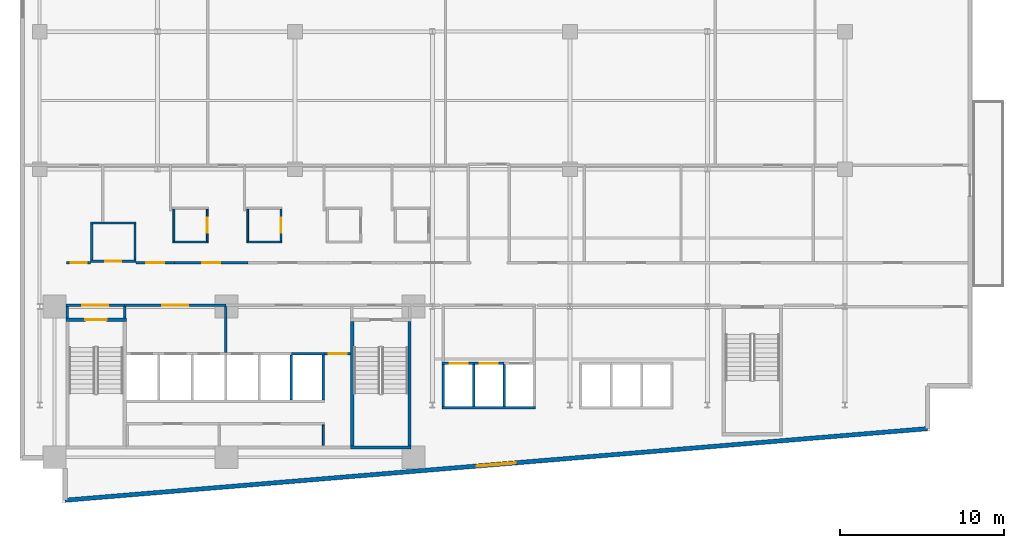
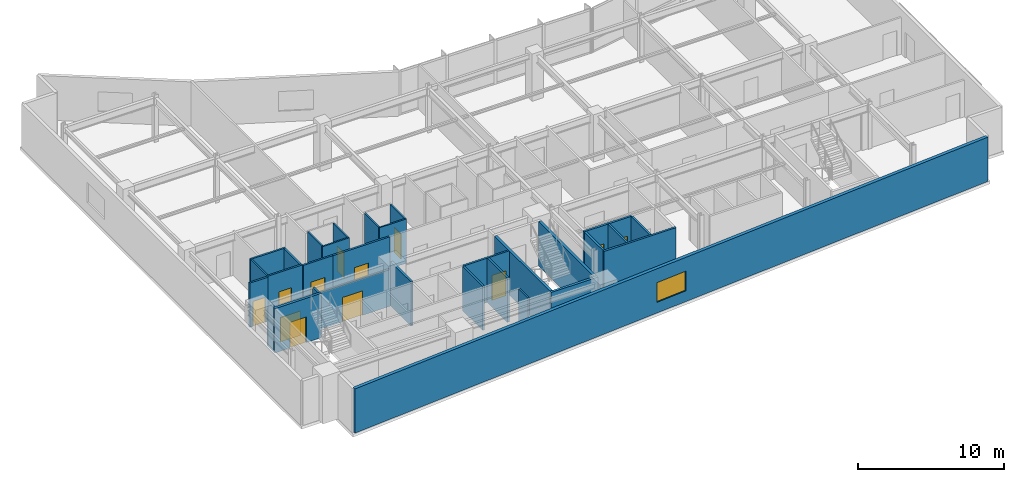
# One storey, part 10 of 18: 34 walls, 12 doors, 1 window, 13 openings.
"""IFC4 building model written with IfcOpenShell, lengths in metres."""

from ifc_helpers import new_model, si_unit, direction, frame, frame_2d, origin, place, context, subcontext, project, spatial, rectangle, extrude, material, layer, layer_set, type_object, element, fill, save


model = new_model("IFC4")

# Units and contexts
model_context = context("Model", 3, precision=1e-05, world=origin(), true_north=direction((0.0, 1.0)))
body_context = subcontext(model_context, "Body", "Model", "MODEL_VIEW")
ifc_project = project(units=[si_unit("LENGTHUNIT", "METRE"), si_unit("AREAUNIT", "SQUARE_METRE"), si_unit("VOLUMEUNIT", "CUBIC_METRE"), si_unit("PLANEANGLEUNIT", "RADIAN"), si_unit("MASSUNIT", "GRAM", prefix="KILO")], contexts=[model_context])

# Site, building, storey
site_placement = place(None, origin())
site = spatial("IfcSite", under=ifc_project, at=site_placement, CompositionType="ELEMENT")
building_placement = place(site_placement, origin())
building = spatial("IfcBuilding", under=site, at=building_placement, Name="Varnakote Quay Hospital", CompositionType="ELEMENT")
storey_placement = place(building_placement, frame((0.0, 0.0, 73.85009765625)))
storey = spatial("IfcBuildingStorey", under=building, at=storey_placement, Name="L18", CompositionType="ELEMENT", Elevation=73.85009765625)

# Wall
ifc_material_1 = material(Name="Fire-rated acoustic gypsum stud wall", Category="gypsum")
ifc_layer_1 = layer(ifc_material_1, 0.159912109375)
ifc_layer_set_1 = layer_set([ifc_layer_1], Name="Fire-rated acoustic gypsum stud wall")
wall_type_1 = type_object("IfcWallType", Name="WL-COMP-160", PredefinedType="PARTITIONING", material=ifc_layer_set_1)
wall_1_placement = place(storey_placement, frame((2.8798828125, 11.300048828125, 0.0), z_axis=(0.0, 0.0, 1.0), x_axis=(0.0, 1.0, 0.0)))
element("IfcWall", 1, at=wall_1_placement, inside=storey, type_object=wall_type_1, Name="L18 West Stair Vestibule West Wall", PredefinedType="PARTITIONING", context=body_context, shape_type="SweptSolid", body=[
    extrude(rectangle(XDim=0.699951171875, YDim=0.159912109375, at=frame_2d((0.35009765625, 0.0))), origin(), (0.0, 0.0, 1.0), 3.7099609375),
])

# Wall, opening, door
wall_2_placement = place(storey_placement, frame((2.800048828125, 12.080078125, 0.0), z_axis=(0.0, 0.0, 1.0), x_axis=(1.0, 0.0, 0.0)))
wall_2 = element("IfcWall", 2, at=wall_2_placement, inside=storey, type_object=wall_type_1, Name="L18 West Stair Vestibule Smoke Wall", PredefinedType="PARTITIONING", context=body_context, shape_type="SweptSolid", body=[
    extrude(rectangle(XDim=3.599853515625, YDim=0.159912109375, at=frame_2d((1.7998046875, 0.0))), origin(), (0.0, 0.0, 1.0), 3.072998046875),
])
opening_1_placement = place(wall_2_placement, frame((1.0, 0.0, 0.0)))
opening_1 = element("IfcOpeningElement", 3, at=opening_1_placement, cuts=wall_2, Name="Opening D-ST1L-L18", PredefinedType="OPENING", context=body_context, shape_type="SweptSolid", body=[
    extrude(rectangle(XDim=1.60009765625, YDim=2.050048828125, at=frame_2d((0.800048828125, 1.02490234375))), frame((0.0, 0.08984375, 0.0), z_axis=(0.0, -1.0, 0.0), x_axis=(1.0, 0.0, 0.0)), (0.0, 0.0, 1.0), 0.179931640625),
])
ifc_material_2 = material(Name="Fire-rated double smoke lobby door")
door_type_1 = type_object("IfcDoorType", Name="DR-LOBBY-FD60S-1600x2150", OperationType="NOTDEFINED", PredefinedType="DOOR", material=ifc_material_2)
door_1_placement = place(opening_1_placement, origin())
door_1 = element("IfcDoor", 4, at=door_1_placement, inside=storey, type_object=door_type_1, Name="L18 West Stair Vestibule Smoke Door", OperationType="DOUBLE_DOOR_SINGLE_SWING", OverallHeight=2.050048828125, OverallWidth=1.60009765625, PredefinedType="DOOR", context=body_context, shape_type="SweptSolid", body=[
    extrude(rectangle(XDim=1.60009765625, YDim=2.050048828125, at=frame_2d((0.800048828125, 1.02490234375))), frame((0.0, 0.02490234375, 0.0), z_axis=(0.0, -1.0, 0.0), x_axis=(1.0, 0.0, 0.0)), (0.0, 0.0, 1.0), 0.050048828125),
])
fill(opening_1, door_1)

# Wall
wall_3_placement = place(storey_placement, frame((6.39990234375, 11.300048828125, 0.0), z_axis=(0.0, 0.0, 1.0), x_axis=(0.0, 1.0, 0.0)))
element("IfcWall", 5, at=wall_3_placement, inside=storey, type_object=wall_type_1, Name="L18 Firefighting Lobby West Wall", PredefinedType="PARTITIONING", context=body_context, shape_type="SweptSolid", body=[
    extrude(rectangle(XDim=0.699951171875, YDim=0.159912109375, at=frame_2d((0.35009765625, 0.0))), origin(), (0.0, 0.0, 1.0), 3.7099609375),
])

# Wall, opening, door
wall_4_placement = place(storey_placement, frame((6.39990234375, 12.080078125, 0.0), z_axis=(0.0, 0.0, 1.0), x_axis=(1.0, 0.0, 0.0)))
wall_4 = element("IfcWall", 6, at=wall_4_placement, inside=storey, type_object=wall_type_1, Name="L18 Firefighting Lift Lobby Compartment Wall", PredefinedType="PARTITIONING", context=body_context, shape_type="SweptSolid", body=[
    extrude(rectangle(XDim=6.18017578125, YDim=0.159912109375, at=frame_2d((3.090087890625, 0.0))), origin(), (0.0, 0.0, 1.0), 3.072998046875),
])
opening_2_placement = place(wall_4_placement, frame((2.2900390625, 0.0, 0.0)))
opening_2 = element("IfcOpeningElement", 7, at=opening_2_placement, cuts=wall_4, Name="Opening D-FFL-L18", PredefinedType="OPENING", context=body_context, shape_type="SweptSolid", body=[
    extrude(rectangle(XDim=1.60009765625, YDim=2.050048828125, at=frame_2d((0.800048828125, 1.02490234375))), frame((0.0, 0.08984375, 0.0), z_axis=(0.0, -1.0, 0.0), x_axis=(1.0, 0.0, 0.0)), (0.0, 0.0, 1.0), 0.179931640625),
])
door_2_placement = place(opening_2_placement, origin())
door_2 = element("IfcDoor", 8, at=door_2_placement, inside=storey, type_object=door_type_1, Name="L18 Firefighting Smoke Vestibule Door", OperationType="DOUBLE_DOOR_SINGLE_SWING", OverallHeight=2.050048828125, OverallWidth=1.60009765625, PredefinedType="DOOR", context=body_context, shape_type="SweptSolid", body=[
    extrude(rectangle(XDim=1.60009765625, YDim=2.050048828125, at=frame_2d((0.800048828125, 1.02490234375))), frame((0.0, 0.02490234375, 0.0), z_axis=(0.0, -1.0, 0.0), x_axis=(1.0, 0.0, 0.0)), (0.0, 0.0, 1.0), 0.050048828125),
])
fill(opening_2, door_2)

# Walls
wall_5_placement = place(storey_placement, frame((12.580078125, 9.2099609375, 0.0), z_axis=(0.0, 0.0, 1.0), x_axis=(0.0, 1.0, 0.0)))
element("IfcWall", 9, at=wall_5_placement, inside=storey, type_object=wall_type_1, Name="L18 Firefighting to Service Lobby Wall", PredefinedType="PARTITIONING", context=body_context, shape_type="SweptSolid", body=[
    extrude(rectangle(XDim=2.7900390625, YDim=0.159912109375, at=frame_2d((1.39501953125, 0.0))), origin(), (0.0, 0.0, 1.0), 3.7099609375),
])
ifc_material_3 = material(Name="Moisture-resistant bathroom partition", Category="gypsum")
ifc_layer_2 = layer(ifc_material_3, 0.114990234375)
ifc_layer_set_2 = layer_set([ifc_layer_2], Name="Moisture-resistant bathroom partition")
wall_type_2 = type_object("IfcWallType", Name="WL-ENS-115", PredefinedType="PARTITIONING", material=ifc_layer_set_2)
wall_6_placement = place(storey_placement, frame((9.344970703125, 15.952392578125, 0.0), z_axis=(0.0, 0.0, 1.0), x_axis=(1.0, 0.0, 0.0)))
element("IfcWall", 10, at=wall_6_placement, inside=storey, type_object=wall_type_2, Name="L18 Inpatient En-Suite Bathroom 01 S Wall", PredefinedType="PARTITIONING", context=body_context, shape_type="SweptSolid", body=[
    extrude(rectangle(XDim=2.150146484375, YDim=0.114990234375, at=frame_2d((1.0751953125, 0.0))), origin(), (0.0, 0.0, 1.0), 3.7099609375),
])
wall_7_placement = place(storey_placement, frame((9.402587890625, 16.010009765625, 0.0), z_axis=(0.0, 0.0, 1.0), x_axis=(0.0, 1.0, 0.0)))
element("IfcWall", 11, at=wall_7_placement, inside=storey, type_object=wall_type_2, Name="L18 Inpatient En-Suite Bathroom 01 W Wall", PredefinedType="PARTITIONING", context=body_context, shape_type="SweptSolid", body=[
    extrude(rectangle(XDim=1.949951171875, YDim=0.114990234375, at=frame_2d((0.97509765625, 0.0))), origin(), (0.0, 0.0, 1.0), 3.7099609375),
])

# Wall, opening, door
wall_8_placement = place(storey_placement, frame((11.4375, 16.010009765625, 0.0), z_axis=(0.0, 0.0, 1.0), x_axis=(0.0, 1.0, 0.0)))
wall_8 = element("IfcWall", 12, at=wall_8_placement, inside=storey, type_object=wall_type_2, Name="L18 Inpatient En-Suite Bathroom 01 E Wall", PredefinedType="PARTITIONING", context=body_context, shape_type="SweptSolid", body=[
    extrude(rectangle(XDim=1.949951171875, YDim=0.114990234375, at=frame_2d((0.97509765625, 0.0))), origin(), (0.0, 0.0, 1.0), 3.7099609375),
])
opening_3_placement = place(wall_8_placement, frame((0.514892578125, 0.0, 0.0)))
opening_3 = element("IfcOpeningElement", 13, at=opening_3_placement, cuts=wall_8, Name="Opening D-L18-ENS01", PredefinedType="OPENING", context=body_context, shape_type="SweptSolid", body=[
    extrude(rectangle(XDim=0.919921875, YDim=2.10009765625, at=frame_2d((0.4599609375, 1.050048828125))), frame((0.0, 0.0673828125, 0.0), z_axis=(0.0, -1.0, 0.0), x_axis=(1.0, 0.0, 0.0)), (0.0, 0.0, 1.0), 0.135009765625),
])
ifc_material_4 = material(Name="Moisture-sealed en-suite bathroom door")
door_type_2 = type_object("IfcDoorType", Name="DR-ENS-920x2100", OperationType="NOTDEFINED", PredefinedType="DOOR", material=ifc_material_4)
door_3_placement = place(opening_3_placement, origin())
door_3 = element("IfcDoor", 14, at=door_3_placement, inside=storey, type_object=door_type_2, Name="L18 Inpatient En-Suite Bathroom 01 Door", OperationType="SINGLE_SWING_RIGHT", OverallHeight=2.10009765625, OverallWidth=0.919921875, PredefinedType="DOOR", context=body_context, shape_type="SweptSolid", body=[
    extrude(rectangle(XDim=0.919921875, YDim=2.10009765625, at=frame_2d((0.4599609375, 1.050048828125))), frame((0.0, 0.02490234375, 0.0), z_axis=(0.0, -1.0, 0.0), x_axis=(1.0, 0.0, 0.0)), (0.0, 0.0, 1.0), 0.050048828125),
])
fill(opening_3, door_3)

# Walls
wall_9_placement = place(storey_placement, frame((13.85498046875, 15.952392578125, 0.0), z_axis=(0.0, 0.0, 1.0), x_axis=(1.0, 0.0, 0.0)))
element("IfcWall", 15, at=wall_9_placement, inside=storey, type_object=wall_type_2, Name="L18 Inpatient En-Suite Bathroom 02 S Wall", PredefinedType="PARTITIONING", context=body_context, shape_type="SweptSolid", body=[
    extrude(rectangle(XDim=2.14990234375, YDim=0.114990234375, at=frame_2d((1.074951171875, 0.0))), origin(), (0.0, 0.0, 1.0), 3.7099609375),
])
wall_10_placement = place(storey_placement, frame((13.91259765625, 16.010009765625, 0.0), z_axis=(0.0, 0.0, 1.0), x_axis=(0.0, 1.0, 0.0)))
element("IfcWall", 16, at=wall_10_placement, inside=storey, type_object=wall_type_2, Name="L18 Inpatient En-Suite Bathroom 02 W Wall", PredefinedType="PARTITIONING", context=body_context, shape_type="SweptSolid", body=[
    extrude(rectangle(XDim=1.949951171875, YDim=0.114990234375, at=frame_2d((0.97509765625, 0.0))), origin(), (0.0, 0.0, 1.0), 3.7099609375),
])

# Wall, opening, door
wall_11_placement = place(storey_placement, frame((15.947509765625, 16.010009765625, 0.0), z_axis=(0.0, 0.0, 1.0), x_axis=(0.0, 1.0, 0.0)))
wall_11 = element("IfcWall", 17, at=wall_11_placement, inside=storey, type_object=wall_type_2, Name="L18 Inpatient En-Suite Bathroom 02 E Wall", PredefinedType="PARTITIONING", context=body_context, shape_type="SweptSolid", body=[
    extrude(rectangle(XDim=1.949951171875, YDim=0.114990234375, at=frame_2d((0.97509765625, 0.0))), origin(), (0.0, 0.0, 1.0), 3.7099609375),
])
opening_4_placement = place(wall_11_placement, frame((0.514892578125, 0.0, 0.0)))
opening_4 = element("IfcOpeningElement", 18, at=opening_4_placement, cuts=wall_11, Name="Opening D-L18-ENS02", PredefinedType="OPENING", context=body_context, shape_type="SweptSolid", body=[
    extrude(rectangle(XDim=0.919921875, YDim=2.10009765625, at=frame_2d((0.4599609375, 1.050048828125))), frame((0.0, 0.0673828125, 0.0), z_axis=(0.0, -1.0, 0.0), x_axis=(1.0, 0.0, 0.0)), (0.0, 0.0, 1.0), 0.135009765625),
])
door_4_placement = place(opening_4_placement, origin())
door_4 = element("IfcDoor", 19, at=door_4_placement, inside=storey, type_object=door_type_2, Name="L18 Inpatient En-Suite Bathroom 02 Door", OperationType="SINGLE_SWING_LEFT", OverallHeight=2.10009765625, OverallWidth=0.919921875, PredefinedType="DOOR", context=body_context, shape_type="SweptSolid", body=[
    extrude(rectangle(XDim=0.919921875, YDim=2.10009765625, at=frame_2d((0.4599609375, 1.050048828125))), frame((0.0, 0.02490234375, 0.0), z_axis=(0.0, -1.0, 0.0), x_axis=(1.0, 0.0, 0.0)), (0.0, 0.0, 1.0), 0.050048828125),
])
fill(opening_4, door_4)

# Wall, opening, window
ifc_material_5 = material(Name="Precast concrete N50 (f'c 50 MPa)", Category="concrete")
ifc_layer_3 = layer(ifc_material_5, 0.260009765625)
ifc_layer_set_3 = layer_set([ifc_layer_3], Name="Precast concrete N50 (f'c 50 MPa)")
wall_type_3 = type_object("IfcWallType", Name="WL-EXT-BRICK-260", PredefinedType="STANDARD", material=ifc_layer_set_3)
wall_12_placement = place(storey_placement, frame((2.760009765625, 0.173828125, 0.0), z_axis=(0.0, 0.0, 1.0), x_axis=(0.996571478456, 0.082736257641, 0.0)))
wall_12 = element("IfcWall", 20, at=wall_12_placement, inside=storey, type_object=wall_type_3, Name="L18 Brick-Faced Precast Exterior Wall", PredefinedType="STANDARD", context=body_context, shape_type="SweptSolid", body=[
    extrude(rectangle(XDim=52.861083984375, YDim=0.260009765625, at=frame_2d((26.4306640625, 0.0))), origin(), (0.0, 0.0, 1.0), 3.7099609375),
])
opening_5_placement = place(wall_12_placement, frame((25.230712890625, 0.0, 0.89990234375)))
opening_5 = element("IfcOpeningElement", 21, at=opening_5_placement, cuts=wall_12, Name="Opening WN-0086", PredefinedType="OPENING", context=body_context, shape_type="SweptSolid", body=[
    extrude(rectangle(XDim=2.39990234375, YDim=1.64990234375, at=frame_2d((1.199951171875, 0.824951171875))), frame((0.0, 0.139892578125, 0.0), z_axis=(0.0, -1.0, 0.0), x_axis=(1.0, 0.0, 0.0)), (0.0, 0.0, 1.0), 0.280029296875),
])
ifc_material_6 = material(Name="Double-glazed low-E solar glass", Category="glass")
window_type = type_object("IfcWindowType", Name="WIN-CLIN-2400x1650", PartitioningType="SINGLE_PANEL", PredefinedType="WINDOW", material=ifc_material_6)
window_placement = place(opening_5_placement, origin())
window = element("IfcWindow", 22, at=window_placement, inside=storey, type_object=window_type, Name="L18 Solar-Control Clinical Window", OverallHeight=1.64990234375, OverallWidth=2.39990234375, PartitioningType="SINGLE_PANEL", PredefinedType="WINDOW", context=body_context, shape_type="SweptSolid", body=[
    extrude(rectangle(XDim=2.39990234375, YDim=1.64990234375, at=frame_2d((1.199951171875, 0.824951171875))), frame((0.0, 0.030029296875, 0.0), z_axis=(0.0, -1.0, 0.0), x_axis=(1.0, 0.0, 0.0)), (0.0, 0.0, 1.0), 0.06005859375),
])
fill(opening_5, window)

# Walls
ifc_material_7 = material(Name="Concrete N50 (f'c 50 MPa)", Category="concrete")
ifc_layer_4 = layer(ifc_material_7, 0.14990234375)
ifc_layer_set_4 = layer_set([ifc_layer_4], Name="Concrete N50 (f'c 50 MPa)")
wall_type_4 = type_object("IfcWallType", Name="WL-SHAFT-N50-150", PredefinedType="SHEAR", material=ifc_layer_set_4)
wall_13_placement = place(storey_placement, frame((16.574951171875, 6.300048828125, 0.0), z_axis=(0.0, 0.0, 1.0), x_axis=(0.0, 1.0, 0.0)))
element("IfcWall", 23, at=wall_13_placement, inside=storey, type_object=wall_type_4, Name="L18 LF-PH1 Hoistway Divider Wall", PredefinedType="SHEAR", context=body_context, shape_type="SweptSolid", body=[
    extrude(rectangle(XDim=2.75, YDim=0.14990234375, at=frame_2d((1.375, 0.0))), origin(), (0.0, 0.0, 1.0), 3.7099609375),
])
for number, where, z_axis, x_axis, name in (
    (24, (27.72509765625, 5.89990234375, 0.0), (0.0, 0.0, 1.0), (0.0, 1.0, 0.0), "L18 LF-PL1 Hoistway Divider Wall"),
    (25, (29.574951171875, 5.89990234375, 0.0), (0.0, 0.0, 1.0), (0.0, 1.0, 0.0), "L18 LF-PL2 Hoistway Divider Wall"),
):
    element("IfcWall", number, at=place(storey_placement, frame(where, z_axis=z_axis, x_axis=x_axis)), inside=storey, type_object=wall_type_4, Name=name, PredefinedType="SHEAR", context=body_context, shape_type="SweptSolid", body=[
        extrude(rectangle(XDim=2.550048828125, YDim=0.14990234375, at=frame_2d((1.27490234375, 0.0))), origin(), (0.0, 0.0, 1.0), 3.7099609375),
    ])
ifc_material_8 = material(Name="Concrete N50 (f'c 50 MPa)", Category="concrete")
ifc_layer_5 = layer(ifc_material_8, 0.159912109375)
ifc_layer_set_5 = layer_set([ifc_layer_5], Name="Concrete N50 (f'c 50 MPa)")
wall_type_5 = type_object("IfcWallType", Name="WL-SHAFT-N50-160", PredefinedType="SHEAR", material=ifc_layer_set_5)
wall_14_placement = place(storey_placement, frame((18.530029296875, 6.300048828125, 0.0), z_axis=(0.0, 0.0, 1.0), x_axis=(0.0, 1.0, 0.0)))
element("IfcWall", 26, at=wall_14_placement, inside=storey, type_object=wall_type_5, Name="L18 REAR Lift Bank East Shear Wall", PredefinedType="SHEAR", context=body_context, shape_type="SweptSolid", body=[
    extrude(rectangle(XDim=2.75, YDim=0.159912109375, at=frame_2d((1.375, 0.0))), origin(), (0.0, 0.0, 1.0), 3.7099609375),
])
wall_15_placement = place(storey_placement, frame((16.574951171875, 9.1298828125, 0.0), z_axis=(0.0, 0.0, 1.0), x_axis=(1.0, 0.0, 0.0)))
element("IfcWall", 27, at=wall_15_placement, inside=storey, type_object=wall_type_5, Name="L18 LF-PH2 Hoistway Front Wall", PredefinedType="SHEAR", context=body_context, shape_type="SweptSolid", body=[
    extrude(rectangle(XDim=2.03515625, YDim=0.159912109375, at=frame_2d((1.017578125, 0.0))), origin(), (0.0, 0.0, 1.0), 3.7099609375),
])
wall_16_placement = place(storey_placement, frame((25.7900390625, 5.820068359375, 0.0), z_axis=(0.0, 0.0, 1.0), x_axis=(1.0, 0.0, 0.0)))
element("IfcWall", 28, at=wall_16_placement, inside=storey, type_object=wall_type_5, Name="L18 LOW Lift Bank Back Shear Wall", PredefinedType="SHEAR", context=body_context, shape_type="SweptSolid", body=[
    extrude(rectangle(XDim=5.719970703125, YDim=0.159912109375, at=frame_2d((2.85986328125, 0.0))), origin(), (0.0, 0.0, 1.0), 3.7099609375),
])
wall_17_placement = place(storey_placement, frame((25.8701171875, 5.89990234375, 0.0), z_axis=(0.0, 0.0, 1.0), x_axis=(0.0, 1.0, 0.0)))
element("IfcWall", 29, at=wall_17_placement, inside=storey, type_object=wall_type_5, Name="L18 LOW Lift Bank West Shear Wall", PredefinedType="SHEAR", context=body_context, shape_type="SweptSolid", body=[
    extrude(rectangle(XDim=2.550048828125, YDim=0.159912109375, at=frame_2d((1.27490234375, 0.0))), origin(), (0.0, 0.0, 1.0), 3.7099609375),
])

# Wall, opening, door
wall_18_placement = place(storey_placement, frame((25.7900390625, 8.530029296875, 0.0), z_axis=(0.0, 0.0, 1.0), x_axis=(1.0, 0.0, 0.0)))
wall_18 = element("IfcWall", 30, at=wall_18_placement, inside=storey, type_object=wall_type_5, Name="L18 LF-PL1 Hoistway Front Wall", PredefinedType="SHEAR", context=body_context, shape_type="SweptSolid", body=[
    extrude(rectangle(XDim=1.93505859375, YDim=0.159912109375, at=frame_2d((0.967529296875, 0.0))), origin(), (0.0, 0.0, 1.0), 3.7099609375),
])
opening_6_placement = place(wall_18_placement, frame((0.4599609375, 0.0, 0.0)))
opening_6 = element("IfcOpeningElement", 31, at=opening_6_placement, cuts=wall_18, Name="Opening LD-PL1-L18", PredefinedType="OPENING", context=body_context, shape_type="SweptSolid", body=[
    extrude(rectangle(XDim=1.10009765625, YDim=2.14990234375, at=frame_2d((0.550048828125, 1.074951171875))), frame((0.0, 0.08984375, 0.0), z_axis=(0.0, -1.0, 0.0), x_axis=(1.0, 0.0, 0.0)), (0.0, 0.0, 1.0), 0.179931640625),
])
ifc_material_9 = material(Name="Brushed bronze lift landing sliding door")
door_type_3 = type_object("IfcDoorType", Name="DR-LIFT-LD-1100x2150", OperationType="NOTDEFINED", PredefinedType="DOOR", material=ifc_material_9)
door_5_placement = place(opening_6_placement, origin())
door_5 = element("IfcDoor", 32, at=door_5_placement, inside=storey, type_object=door_type_3, Name="L18 LF-PL1 Lift Landing Sliding Door", OperationType="SLIDING_TO_LEFT", OverallHeight=2.14990234375, OverallWidth=1.10009765625, PredefinedType="DOOR", context=body_context, shape_type="SweptSolid", body=[
    extrude(rectangle(XDim=1.10009765625, YDim=2.14990234375, at=frame_2d((0.550048828125, 1.074951171875))), frame((0.0, 0.02490234375, 0.0), z_axis=(0.0, -1.0, 0.0), x_axis=(1.0, 0.0, 0.0)), (0.0, 0.0, 1.0), 0.050048828125),
])
fill(opening_6, door_5)

wall_19_placement = place(storey_placement, frame((27.72509765625, 8.530029296875, 0.0), z_axis=(0.0, 0.0, 1.0), x_axis=(1.0, 0.0, 0.0)))
wall_19 = element("IfcWall", 33, at=wall_19_placement, inside=storey, type_object=wall_type_5, Name="L18 LF-PL2 Hoistway Front Wall", PredefinedType="SHEAR", context=body_context, shape_type="SweptSolid", body=[
    extrude(rectangle(XDim=1.849853515625, YDim=0.159912109375, at=frame_2d((0.9248046875, 0.0))), origin(), (0.0, 0.0, 1.0), 3.7099609375),
])
opening_7_placement = place(wall_19_placement, frame((0.375, 0.0, 0.0)))
opening_7 = element("IfcOpeningElement", 34, at=opening_7_placement, cuts=wall_19, Name="Opening LD-PL2-L18", PredefinedType="OPENING", context=body_context, shape_type="SweptSolid", body=[
    extrude(rectangle(XDim=1.10009765625, YDim=2.14990234375, at=frame_2d((0.550048828125, 1.074951171875))), frame((0.0, 0.08984375, 0.0), z_axis=(0.0, -1.0, 0.0), x_axis=(1.0, 0.0, 0.0)), (0.0, 0.0, 1.0), 0.179931640625),
])
door_6_placement = place(opening_7_placement, origin())
door_6 = element("IfcDoor", 35, at=door_6_placement, inside=storey, type_object=door_type_3, Name="L18 LF-PL2 Lift Landing Sliding Door", OperationType="SLIDING_TO_LEFT", OverallHeight=2.14990234375, OverallWidth=1.10009765625, PredefinedType="DOOR", context=body_context, shape_type="SweptSolid", body=[
    extrude(rectangle(XDim=1.10009765625, YDim=2.14990234375, at=frame_2d((0.550048828125, 1.074951171875))), frame((0.0, 0.02490234375, 0.0), z_axis=(0.0, -1.0, 0.0), x_axis=(1.0, 0.0, 0.0)), (0.0, 0.0, 1.0), 0.050048828125),
])
fill(opening_7, door_6)

ifc_material_10 = material(Name="Concrete N50 (f'c 50 MPa)", Category="concrete")
ifc_layer_6 = layer(ifc_material_10, 0.199951171875)
ifc_layer_set_6 = layer_set([ifc_layer_6], Name="Concrete N50 (f'c 50 MPa)")
wall_type_6 = type_object("IfcWallType", Name="WL-SHAFT-N50-200", PredefinedType="SHEAR", material=ifc_layer_set_6)
wall_20_placement = place(storey_placement, frame((2.800048828125, 11.199951171875, 0.0), z_axis=(0.0, 0.0, 1.0), x_axis=(1.0, 0.0, 0.0)))
wall_20 = element("IfcWall", 36, at=wall_20_placement, inside=storey, type_object=wall_type_6, Name="L18 Stair ST1 Exit Wall", PredefinedType="SHEAR", context=body_context, shape_type="SweptSolid", body=[
    extrude(rectangle(XDim=3.699951171875, YDim=0.199951171875, at=frame_2d((1.85009765625, 0.0))), origin(), (0.0, 0.0, 1.0), 3.7099609375),
])
opening_8_placement = place(wall_20_placement, frame((1.199951171875, 0.0, 0.0)))
opening_8 = element("IfcOpeningElement", 37, at=opening_8_placement, cuts=wall_20, Name="Opening D-ST1-L18", PredefinedType="OPENING", context=body_context, shape_type="SweptSolid", body=[
    extrude(rectangle(XDim=1.300048828125, YDim=2.14990234375, at=frame_2d((0.64990234375, 1.074951171875))), frame((0.0, 0.10986328125, 0.0), z_axis=(0.0, -1.0, 0.0), x_axis=(1.0, 0.0, 0.0)), (0.0, 0.0, 1.0), 0.219970703125),
])
ifc_material_11 = material(Name="Fire-rated ceramic-glazed timber exit door", Category="wood")
door_type_4 = type_object("IfcDoorType", Name="DR-STAIR-FD60S-1300x2150", OperationType="NOTDEFINED", PredefinedType="DOOR", material=ifc_material_11)
door_7_placement = place(opening_8_placement, origin())
door_7 = element("IfcDoor", 38, at=door_7_placement, inside=storey, type_object=door_type_4, Name="L18 Stair ST1 Fire Exit Door", OperationType="SINGLE_SWING_LEFT", OverallHeight=2.14990234375, OverallWidth=1.300048828125, PredefinedType="DOOR", context=body_context, shape_type="SweptSolid", body=[
    extrude(rectangle(XDim=1.300048828125, YDim=2.14990234375, at=frame_2d((0.64990234375, 1.074951171875))), frame((0.0, 0.02490234375, 0.0), z_axis=(0.0, -1.0, 0.0), x_axis=(1.0, 0.0, 0.0)), (0.0, 0.0, 1.0), 0.050048828125),
])
fill(opening_8, door_7)

# Walls
wall_21_placement = place(storey_placement, frame((20.199951171875, 3.39990234375, 0.0), z_axis=(0.0, 0.0, 1.0), x_axis=(1.0, 0.0, 0.0)))
element("IfcWall", 39, at=wall_21_placement, inside=storey, type_object=wall_type_6, Name="L18 Stair ST2 South Shaft Wall", PredefinedType="SHEAR", context=body_context, shape_type="SweptSolid", body=[
    extrude(rectangle(XDim=3.699951171875, YDim=0.199951171875, at=frame_2d((1.85009765625, 0.0))), origin(), (0.0, 0.0, 1.0), 3.7099609375),
])
for number, where, z_axis, x_axis, name in (
    (40, (20.300048828125, 3.5, 0.0), (0.0, 0.0, 1.0), (0.0, 1.0, 0.0), "L18 Stair ST2 West Shaft Wall"),
    (41, (23.800048828125, 3.5, 0.0), (0.0, 0.0, 1.0), (0.0, 1.0, 0.0), "L18 Stair ST2 East Shaft Wall"),
):
    element("IfcWall", number, at=place(storey_placement, frame(where, z_axis=z_axis, x_axis=x_axis)), inside=storey, type_object=wall_type_6, Name=name, PredefinedType="SHEAR", context=body_context, shape_type="SweptSolid", body=[
        extrude(rectangle(XDim=7.60009765625, YDim=0.199951171875, at=frame_2d((3.800048828125, 0.0))), origin(), (0.0, 0.0, 1.0), 3.7099609375),
    ])
ifc_material_12 = material(Name="Smoke-proof clinical partition", Category="gypsum")
ifc_layer_7 = layer(ifc_material_12, 0.1201171875)
ifc_layer_set_7 = layer_set([ifc_layer_7], Name="Smoke-proof clinical partition")
wall_type_7 = type_object("IfcWallType", Name="WL-SMOKE-120", PredefinedType="PARTITIONING", material=ifc_layer_set_7)
wall_22_placement = place(storey_placement, frame((18.5400390625, 3.52001953125, 0.0), z_axis=(0.0, 0.0, 1.0), x_axis=(0.0, 1.0, 0.0)))
element("IfcWall", 42, at=wall_22_placement, inside=storey, type_object=wall_type_7, Name="L18 Core South Service East Wall", PredefinedType="PARTITIONING", context=body_context, shape_type="SweptSolid", body=[
    extrude(rectangle(XDim=1.260009765625, YDim=0.1201171875, at=frame_2d((0.6298828125, 0.0))), origin(), (0.0, 0.0, 1.0), 3.7099609375),
])

# Wall, opening, door
ifc_material_13 = material(Name="Fire-rated clinical gypsum partition", Category="gypsum")
ifc_layer_8 = layer(ifc_material_13, 0.139892578125)
ifc_layer_set_8 = layer_set([ifc_layer_8], Name="Fire-rated clinical gypsum partition")
wall_type_8 = type_object("IfcWallType", Name="WL-WARD-140", PredefinedType="PARTITIONING", material=ifc_layer_set_8)
wall_23_placement = place(storey_placement, frame((18.610107421875, 9.1298828125, 0.0), z_axis=(0.0, 0.0, 1.0), x_axis=(1.0, 0.0, 0.0)))
wall_23 = element("IfcWall", 43, at=wall_23_placement, inside=storey, type_object=wall_type_8, Name="L18 Core Service Corridor North Door Wall", PredefinedType="PARTITIONING", context=body_context, shape_type="SweptSolid", body=[
    extrude(rectangle(XDim=1.58984375, YDim=0.139892578125, at=frame_2d((0.794921875, 0.0))), origin(), (0.0, 0.0, 1.0), 3.7099609375),
])
opening_9_placement = place(wall_23_placement, frame((0.239990234375, 0.0, 0.0)))
opening_9 = element("IfcOpeningElement", 44, at=opening_9_placement, cuts=wall_23, Name="Opening D-CSRV-L18", PredefinedType="OPENING", context=body_context, shape_type="SweptSolid", body=[
    extrude(rectangle(XDim=1.10009765625, YDim=2.10009765625, at=frame_2d((0.550048828125, 1.050048828125))), frame((0.0, 0.079833984375, 0.0), z_axis=(0.0, -1.0, 0.0), x_axis=(1.0, 0.0, 0.0)), (0.0, 0.0, 1.0), 0.159912109375),
])
ifc_material_14 = material(Name="Acoustic timber clinical consult door", Category="wood")
door_type_5 = type_object("IfcDoorType", Name="DR-CLIN-FD30S-1100x2100", OperationType="NOTDEFINED", PredefinedType="DOOR", material=ifc_material_14)
door_8_placement = place(opening_9_placement, origin())
door_8 = element("IfcDoor", 45, at=door_8_placement, inside=storey, type_object=door_type_5, Name="L18 Core Service Corridor Door", OperationType="SINGLE_SWING_RIGHT", OverallHeight=2.10009765625, OverallWidth=1.10009765625, PredefinedType="DOOR", context=body_context, shape_type="SweptSolid", body=[
    extrude(rectangle(XDim=1.10009765625, YDim=2.10009765625, at=frame_2d((0.550048828125, 1.050048828125))), frame((0.0, 0.02490234375, 0.0), z_axis=(0.0, -1.0, 0.0), x_axis=(1.0, 0.0, 0.0)), (0.0, 0.0, 1.0), 0.050048828125),
])
fill(opening_9, door_8)

wall_24_placement = place(storey_placement, frame((4.31005859375, 14.77001953125, 0.0), z_axis=(0.0, 0.0, 1.0), x_axis=(1.0, 0.0, 0.0)))
wall_24 = element("IfcWall", 46, at=wall_24_placement, inside=storey, type_object=wall_type_8, Name="L18 Floor Unisex Accessible WC S Wall", PredefinedType="PARTITIONING", context=body_context, shape_type="SweptSolid", body=[
    extrude(rectangle(XDim=2.780029296875, YDim=0.139892578125, at=frame_2d((1.39013671875, 0.0))), origin(), (0.0, 0.0, 1.0), 3.7099609375),
])
opening_10_placement = place(wall_24_placement, frame((0.89990234375, 0.0, 0.0)))
opening_10 = element("IfcOpeningElement", 47, at=opening_10_placement, cuts=wall_24, Name="Opening D-L18-EW01", PredefinedType="OPENING", context=body_context, shape_type="SweptSolid", body=[
    extrude(rectangle(XDim=0.97998046875, YDim=2.10009765625, at=frame_2d((0.489990234375, 1.050048828125))), frame((0.0, 0.079833984375, 0.0), z_axis=(0.0, -1.0, 0.0), x_axis=(1.0, 0.0, 0.0)), (0.0, 0.0, 1.0), 0.159912109375),
])
ifc_material_15 = material(Name="Accessible sanitary compartment door")
door_type_6 = type_object("IfcDoorType", Name="DR-WC-980x2100", OperationType="NOTDEFINED", PredefinedType="DOOR", material=ifc_material_15)
door_9_placement = place(opening_10_placement, origin())
door_9 = element("IfcDoor", 48, at=door_9_placement, inside=storey, type_object=door_type_6, Name="L18 Floor Unisex Accessible WC Door", OperationType="SINGLE_SWING_LEFT", OverallHeight=2.10009765625, OverallWidth=0.97998046875, PredefinedType="DOOR", context=body_context, shape_type="SweptSolid", body=[
    extrude(rectangle(XDim=0.97998046875, YDim=2.10009765625, at=frame_2d((0.489990234375, 1.050048828125))), frame((0.0, 0.02490234375, 0.0), z_axis=(0.0, -1.0, 0.0), x_axis=(1.0, 0.0, 0.0)), (0.0, 0.0, 1.0), 0.050048828125),
])
fill(opening_10, door_9)

# Walls
wall_25_placement = place(storey_placement, frame((4.31005859375, 17.110107421875, 0.0), z_axis=(0.0, 0.0, 1.0), x_axis=(1.0, 0.0, 0.0)))
element("IfcWall", 49, at=wall_25_placement, inside=storey, type_object=wall_type_8, Name="L18 Floor Unisex Accessible WC N Wall", PredefinedType="PARTITIONING", context=body_context, shape_type="SweptSolid", body=[
    extrude(rectangle(XDim=2.780029296875, YDim=0.139892578125, at=frame_2d((1.39013671875, 0.0))), origin(), (0.0, 0.0, 1.0), 3.7099609375),
])
for number, where, z_axis, x_axis, name in (
    (50, (4.3798828125, 14.840087890625, 0.0), (0.0, 0.0, 1.0), (0.0, 1.0, 0.0), "L18 Floor Unisex Accessible WC W Wall"),
    (51, (7.02001953125, 14.840087890625, 0.0), (0.0, 0.0, 1.0), (0.0, 1.0, 0.0), "L18 Floor Unisex Accessible WC E Wall"),
):
    element("IfcWall", number, at=place(storey_placement, frame(where, z_axis=z_axis, x_axis=x_axis)), inside=storey, type_object=wall_type_8, Name=name, PredefinedType="PARTITIONING", context=body_context, shape_type="SweptSolid", body=[
        extrude(rectangle(XDim=2.199951171875, YDim=0.139892578125, at=frame_2d((1.10009765625, 0.0))), origin(), (0.0, 0.0, 1.0), 3.7099609375),
    ])

# Wall, opening, door
ifc_material_16 = material(Name="Fire-rated clinical gypsum partition", Category="gypsum")
ifc_layer_9 = layer(ifc_material_16, 0.14990234375)
ifc_layer_set_9 = layer_set([ifc_layer_9], Name="Fire-rated clinical gypsum partition")
wall_type_9 = type_object("IfcWallType", Name="WL-WARD-150", PredefinedType="PARTITIONING", material=ifc_layer_set_9)
wall_26_placement = place(storey_placement, frame((4.30810546875, 14.679931640625, 0.0), z_axis=(0.0, 0.0, 1.0), x_axis=(-1.0, 0.0, 0.0)))
wall_26 = element("IfcWall", 52, at=wall_26_placement, inside=storey, type_object=wall_type_9, Name="L18 Clinical Interior Partition", PredefinedType="PARTITIONING", context=body_context, shape_type="SweptSolid", body=[
    extrude(rectangle(XDim=1.4580078125, YDim=0.14990234375, at=frame_2d((0.72900390625, 0.0))), origin(), (0.0, 0.0, 1.0), 3.7099609375),
])
opening_11_placement = place(wall_26_placement, frame((0.239013671875, 0.0, 0.0)))
opening_11 = element("IfcOpeningElement", 53, at=opening_11_placement, cuts=wall_26, Name="Opening D-L18-MD01", PredefinedType="OPENING", context=body_context, shape_type="SweptSolid", body=[
    extrude(rectangle(XDim=0.97998046875, YDim=2.10009765625, at=frame_2d((0.489990234375, 1.050048828125))), frame((0.0, 0.0849609375, 0.0), z_axis=(0.0, -1.0, 0.0), x_axis=(1.0, 0.0, 0.0)), (0.0, 0.0, 1.0), 0.169921875),
])
door_10_placement = place(opening_11_placement, origin())
door_10 = element("IfcDoor", 54, at=door_10_placement, inside=storey, type_object=door_type_6, Name="L18 Clinical Simulation Teaching Room Door", OperationType="SINGLE_SWING_LEFT", OverallHeight=2.10009765625, OverallWidth=0.97998046875, PredefinedType="DOOR", context=body_context, shape_type="SweptSolid", body=[
    extrude(rectangle(XDim=0.97998046875, YDim=2.10009765625, at=frame_2d((0.489990234375, 1.050048828125))), frame((0.0, 0.02490234375, 0.0), z_axis=(0.0, -1.0, 0.0), x_axis=(1.0, 0.0, 0.0)), (0.0, 0.0, 1.0), 0.050048828125),
])
fill(opening_11, door_10)

wall_27_placement = place(storey_placement, frame((9.426025390625, 14.679931640625, 0.0), z_axis=(0.0, 0.0, 1.0), x_axis=(-1.0, 0.0, 0.0)))
wall_27 = element("IfcWall", 55, at=wall_27_placement, inside=storey, type_object=wall_type_9, Name="L18 Clinical Interior Partition", PredefinedType="PARTITIONING", context=body_context, shape_type="SweptSolid", body=[
    extrude(rectangle(XDim=2.333984375, YDim=0.14990234375, at=frame_2d((1.1669921875, 0.0))), origin(), (0.0, 0.0, 1.0), 3.7099609375),
])
opening_12_placement = place(wall_27_placement, frame((0.616943359375, 0.0, 0.0)))
opening_12 = element("IfcOpeningElement", 56, at=opening_12_placement, cuts=wall_27, Name="Opening D-L18-MD02", PredefinedType="OPENING", context=body_context, shape_type="SweptSolid", body=[
    extrude(rectangle(XDim=1.10009765625, YDim=2.10009765625, at=frame_2d((0.550048828125, 1.050048828125))), frame((0.0, 0.0849609375, 0.0), z_axis=(0.0, -1.0, 0.0), x_axis=(1.0, 0.0, 0.0)), (0.0, 0.0, 1.0), 0.169921875),
])
door_11_placement = place(opening_12_placement, origin())
door_11 = element("IfcDoor", 57, at=door_11_placement, inside=storey, type_object=door_type_5, Name="L18 Allied Health Teaching Laboratory Door", OperationType="SINGLE_SWING_RIGHT", OverallHeight=2.10009765625, OverallWidth=1.10009765625, PredefinedType="DOOR", context=body_context, shape_type="SweptSolid", body=[
    extrude(rectangle(XDim=1.10009765625, YDim=2.10009765625, at=frame_2d((0.550048828125, 1.050048828125))), frame((0.0, 0.02490234375, 0.0), z_axis=(0.0, -1.0, 0.0), x_axis=(1.0, 0.0, 0.0)), (0.0, 0.0, 1.0), 0.050048828125),
])
fill(opening_12, door_11)

wall_28_placement = place(storey_placement, frame((13.93603515625, 14.679931640625, 0.0), z_axis=(0.0, 0.0, 1.0), x_axis=(-1.0, 0.0, 0.0)))
wall_28 = element("IfcWall", 58, at=wall_28_placement, inside=storey, type_object=wall_type_9, Name="L18 Clinical Interior Partition", PredefinedType="PARTITIONING", context=body_context, shape_type="SweptSolid", body=[
    extrude(rectangle(XDim=4.508056640625, YDim=0.14990234375, at=frame_2d((2.25390625, 0.0))), origin(), (0.0, 0.0, 1.0), 3.7099609375),
])
opening_13_placement = place(wall_28_placement, frame((1.7041015625, 0.0, 0.0)))
opening_13 = element("IfcOpeningElement", 59, at=opening_13_placement, cuts=wall_28, Name="Opening D-L18-BR01", PredefinedType="OPENING", context=body_context, shape_type="SweptSolid", body=[
    extrude(rectangle(XDim=1.10009765625, YDim=2.10009765625, at=frame_2d((0.550048828125, 1.050048828125))), frame((0.0, 0.0849609375, 0.0), z_axis=(0.0, -1.0, 0.0), x_axis=(1.0, 0.0, 0.0)), (0.0, 0.0, 1.0), 0.169921875),
])
door_12_placement = place(opening_13_placement, origin())
door_12 = element("IfcDoor", 60, at=door_12_placement, inside=storey, type_object=door_type_5, Name="L18 Inpatient Clinical Treatment Room 01 Door", OperationType="SINGLE_SWING_LEFT", OverallHeight=2.10009765625, OverallWidth=1.10009765625, PredefinedType="DOOR", context=body_context, shape_type="SweptSolid", body=[
    extrude(rectangle(XDim=1.10009765625, YDim=2.10009765625, at=frame_2d((0.550048828125, 1.050048828125))), frame((0.0, 0.02490234375, 0.0), z_axis=(0.0, -1.0, 0.0), x_axis=(1.0, 0.0, 0.0)), (0.0, 0.0, 1.0), 0.050048828125),
])
fill(opening_13, door_12)

save(model, "model.ifc")
